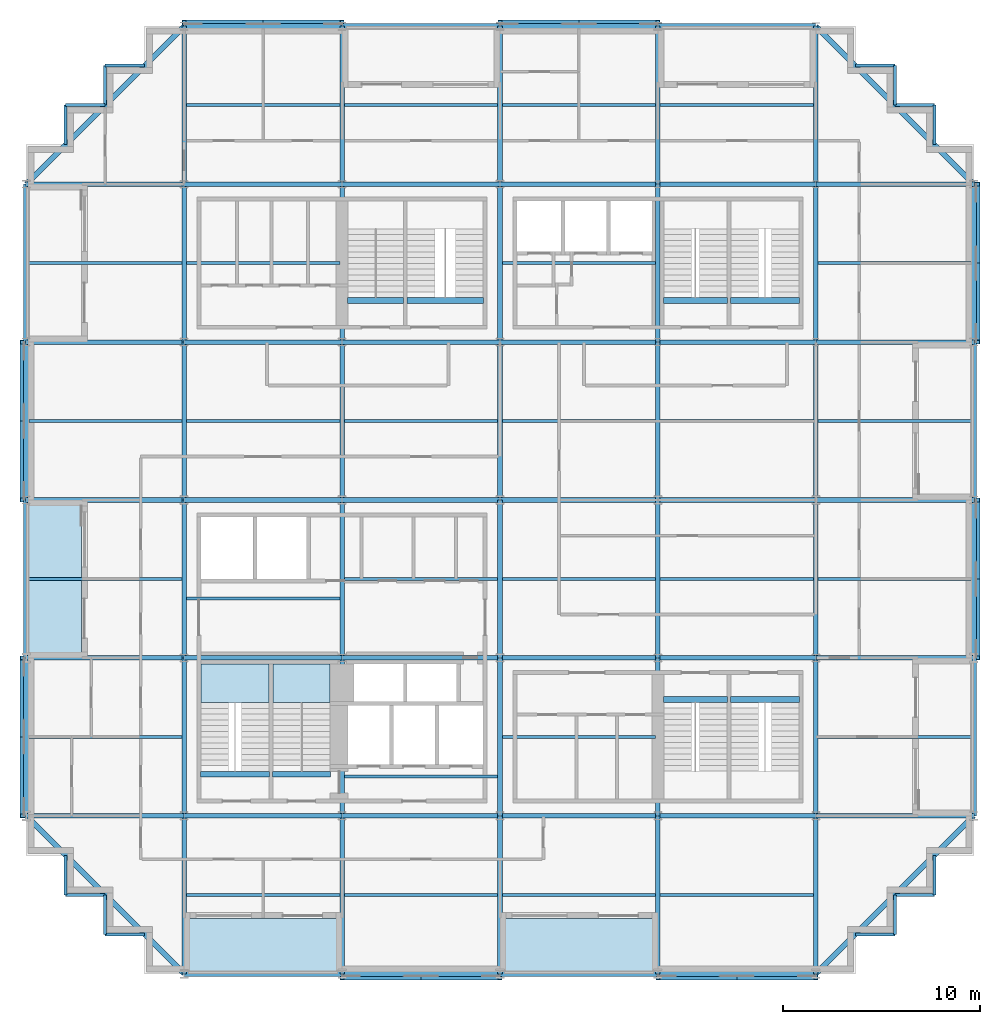
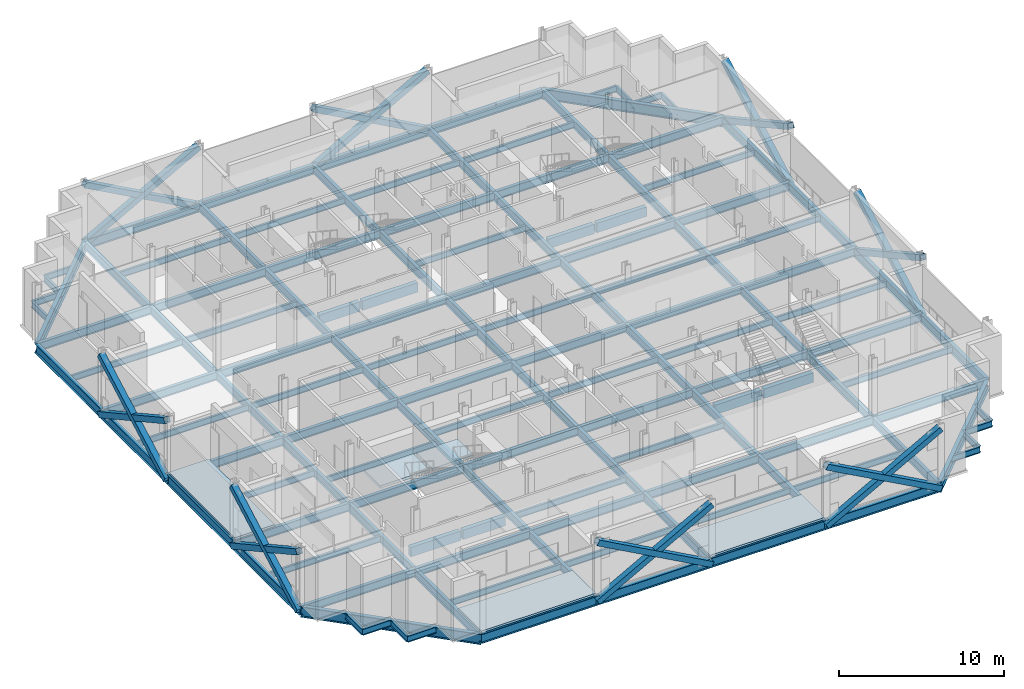
# One storey, part 4 of 14: 132 beams, 16 members, 5 slabs, 2 elements without a shape of their own.
"""IFC4 building model written with IfcOpenShell, lengths in metres."""

from ifc_helpers import new_model, si_unit, direction, frame, origin, origin_2d, place, context, subcontext, project, spatial, polyline, rectangle, hollow_rectangle, i_section, outline, extrude, material, layer, layer_set, material_profile, profile_set, type_object, element, aggregate, save


model = new_model("IFC4")

# Units and contexts
model_context = context("Model", 3, precision=1e-05, world=origin(), true_north=direction((0.0, 1.0)))
body_context = subcontext(model_context, "Body", "Model", "MODEL_VIEW")
ifc_project = project(units=[si_unit("LENGTHUNIT", "METRE"), si_unit("AREAUNIT", "SQUARE_METRE"), si_unit("VOLUMEUNIT", "CUBIC_METRE"), si_unit("PLANEANGLEUNIT", "RADIAN"), si_unit("MASSUNIT", "GRAM", prefix="KILO")], contexts=[model_context])

# Site, building, storey
site_placement = place(None, origin())
site = spatial("IfcSite", under=ifc_project, at=site_placement, CompositionType="ELEMENT")
building_placement = place(site_placement, origin())
building = spatial("IfcBuilding", under=site, at=building_placement, Name="Immortelle Media Tower", CompositionType="ELEMENT")
storey_placement = place(building_placement, frame((0.0, 0.0, 96.39990234375)))
storey = spatial("IfcBuildingStorey", under=building, at=storey_placement, Name="L18", CompositionType="ELEMENT", Elevation=96.39990234375)

# Members
ifc_material_1 = material(Name="Steel ASTM A500 Gr C", Category="steel")
ifc_material_profile_1 = material_profile(ifc_material_1, hollow_rectangle(XDim=0.406005859375, YDim=0.406005859375, WallThickness=0.014892578125, at=origin_2d()), Name="HSS16x16x5/8 brace")
ifc_profile_set_1 = profile_set([ifc_material_profile_1], Name="Steel ASTM A500 Gr C")
member_type = type_object("IfcMemberType", Name="HSS16x16x5/8 brace", PredefinedType="BRACE", material=ifc_profile_set_1)
for number, where, z_axis, x_axis, name in (
    (1, (-0.113037109375, 32.0, -0.496337890625), (0.0, -0.876220425204, 0.481910537812), (1.0, 0.0, 0.0), "Brace 1/D-E A"),
    (2, (-0.113037109375, 32.0, 3.903564453125), (0.0, -0.876220425204, -0.481910537812), (1.0, 0.0, 0.0), "Brace 1/D-E B"),
    (3, (-0.113037109375, 16.0, -0.496337890625), (0.0, -0.876220425204, 0.481910537812), (1.0, 0.0, 0.0), "Brace 1/B-C A"),
    (4, (-0.113037109375, 16.0, 3.903564453125), (0.0, -0.876220425204, -0.481910537812), (1.0, 0.0, 0.0), "Brace 1/B-C B"),
    (5, (16.0, -0.113037109375, -0.496337890625), (0.876220425204, 0.0, 0.481910537812), (0.0, 1.0, 0.0), "Brace A/3-4 A"),
    (6, (16.0, -0.113037109375, 3.903564453125), (0.876220425204, 0.0, -0.481910537812), (0.0, 1.0, 0.0), "Brace A/3-4 B"),
    (7, (32.0, -0.113037109375, -0.496337890625), (0.876220425204, 0.0, 0.481910537812), (0.0, 1.0, 0.0), "Brace A/5-6 A"),
    (8, (32.0, -0.113037109375, 3.903564453125), (0.876220425204, 0.0, -0.481910537812), (0.0, 1.0, 0.0), "Brace A/5-6 B"),
    (9, (48.113037109375, 16.0, -0.496337890625), (0.0, 0.876220425204, 0.481910537812), (-1.0, 0.0, 0.0), "Brace 7/C-D A"),
    (10, (48.113037109375, 16.0, 3.903564453125), (0.0, 0.876220425204, -0.481910537812), (-1.0, 0.0, 0.0), "Brace 7/C-D B"),
    (11, (48.113037109375, 32.0, -0.496337890625), (0.0, 0.876220425204, 0.481910537812), (-1.0, 0.0, 0.0), "Brace 7/E-F A"),
    (12, (48.113037109375, 32.0, 3.903564453125), (0.0, 0.876220425204, -0.481910537812), (-1.0, 0.0, 0.0), "Brace 7/E-F B"),
    (13, (32.0, 48.113037109375, -0.496337890625), (-0.876220425204, 0.0, 0.481910537812), (0.0, -1.0, 0.0), "Brace G/4-5 A"),
    (14, (32.0, 48.113037109375, 3.903564453125), (-0.876220425204, 0.0, -0.481910537812), (0.0, -1.0, 0.0), "Brace G/4-5 B"),
    (15, (16.0, 48.113037109375, -0.496337890625), (-0.876220425204, 0.0, 0.481910537812), (0.0, -1.0, 0.0), "Brace G/2-3 A"),
    (16, (16.0, 48.113037109375, 3.903564453125), (-0.876220425204, 0.0, -0.481910537812), (0.0, -1.0, 0.0), "Brace G/2-3 B"),
):
    element("IfcMember", number, at=place(storey_placement, frame(where, z_axis=z_axis, x_axis=x_axis)), inside=storey, type_object=member_type, Name=name, PredefinedType="BRACE", context=body_context, shape_type="SweptSolid", body=[
        extrude(hollow_rectangle(XDim=0.406005859375, YDim=0.406005859375, WallThickness=0.014892578125, at=origin_2d()), origin(), (0.0, 0.0, 1.0), 9.130126953125),
    ])

# Beams
ifc_material_2 = material(Name="Concrete C50/60", Category="concrete")
ifc_material_profile_2 = material_profile(ifc_material_2, rectangle(XDim=0.300048828125, YDim=0.699951171875, at=origin_2d()), Name="RC 300x700")
ifc_profile_set_2 = profile_set([ifc_material_profile_2], Name="Concrete C50/60")
beam_type_1 = type_object("IfcBeamType", Name="Stair trimmer beam 300 x 700", PredefinedType="BEAM", material=ifc_profile_set_2)
beam_1_placement = place(storey_placement, frame((8.830078125, 10.10498046875, -0.5), z_axis=(1.0, 0.0, 0.0), x_axis=(0.0, 1.0, 0.0)))
element("IfcBeam", 17, at=beam_1_placement, inside=storey, type_object=beam_type_1, Name="Stair trimmer beam SW1", PredefinedType="BEAM", context=body_context, shape_type="SweptSolid", body=[
    extrude(rectangle(XDim=0.300048828125, YDim=0.699951171875, at=origin_2d()), origin(), (0.0, 0.0, 1.0), 3.489990234375),
])
beam_2_placement = place(storey_placement, frame((12.47998046875, 10.10498046875, -0.5), z_axis=(1.0, 0.0, 0.0), x_axis=(0.0, 1.0, 0.0)))
element("IfcBeam", 18, at=beam_2_placement, inside=storey, type_object=beam_type_1, Name="Stair trimmer beam SW2", PredefinedType="BEAM", context=body_context, shape_type="SweptSolid", body=[
    extrude(rectangle(XDim=0.300048828125, YDim=0.699951171875, at=origin_2d()), origin(), (0.0, 0.0, 1.0), 2.93994140625),
])
beam_3_placement = place(storey_placement, frame((32.280029296875, 13.89501953125, -0.5), z_axis=(1.0, 0.0, 0.0), x_axis=(0.0, 1.0, 0.0)))
element("IfcBeam", 19, at=beam_3_placement, inside=storey, type_object=beam_type_1, Name="Stair trimmer beam SE1", PredefinedType="BEAM", context=body_context, shape_type="SweptSolid", body=[
    extrude(rectangle(XDim=0.300048828125, YDim=0.699951171875, at=origin_2d()), origin(), (0.0, 0.0, 1.0), 3.239990234375),
])
beam_4_placement = place(storey_placement, frame((35.679931640625, 13.89501953125, -0.5), z_axis=(1.0, 0.0, 0.0), x_axis=(0.0, 1.0, 0.0)))
element("IfcBeam", 20, at=beam_4_placement, inside=storey, type_object=beam_type_1, Name="Stair trimmer beam SE2", PredefinedType="BEAM", context=body_context, shape_type="SweptSolid", body=[
    extrude(rectangle(XDim=0.300048828125, YDim=0.699951171875, at=origin_2d()), origin(), (0.0, 0.0, 1.0), 3.489990234375),
])
beam_5_placement = place(storey_placement, frame((16.280029296875, 34.10498046875, -0.5), z_axis=(1.0, 0.0, 0.0), x_axis=(0.0, 1.0, 0.0)))
element("IfcBeam", 21, at=beam_5_placement, inside=storey, type_object=beam_type_1, Name="Stair trimmer beam NW1", PredefinedType="BEAM", context=body_context, shape_type="SweptSolid", body=[
    extrude(rectangle(XDim=0.300048828125, YDim=0.699951171875, at=origin_2d()), origin(), (0.0, 0.0, 1.0), 2.840087890625),
])
beam_6_placement = place(storey_placement, frame((19.280029296875, 34.10498046875, -0.5), z_axis=(1.0, 0.0, 0.0), x_axis=(0.0, 1.0, 0.0)))
element("IfcBeam", 22, at=beam_6_placement, inside=storey, type_object=beam_type_1, Name="Stair trimmer beam NW2", PredefinedType="BEAM", context=body_context, shape_type="SweptSolid", body=[
    extrude(rectangle(XDim=0.300048828125, YDim=0.699951171875, at=origin_2d()), origin(), (0.0, 0.0, 1.0), 3.889892578125),
])
beam_7_placement = place(storey_placement, frame((32.280029296875, 34.10498046875, -0.5), z_axis=(1.0, 0.0, 0.0), x_axis=(0.0, 1.0, 0.0)))
element("IfcBeam", 23, at=beam_7_placement, inside=storey, type_object=beam_type_1, Name="Stair trimmer beam NE1", PredefinedType="BEAM", context=body_context, shape_type="SweptSolid", body=[
    extrude(rectangle(XDim=0.300048828125, YDim=0.699951171875, at=origin_2d()), origin(), (0.0, 0.0, 1.0), 3.239990234375),
])
beam_8_placement = place(storey_placement, frame((35.679931640625, 34.10498046875, -0.5), z_axis=(1.0, 0.0, 0.0), x_axis=(0.0, 1.0, 0.0)))
element("IfcBeam", 24, at=beam_8_placement, inside=storey, type_object=beam_type_1, Name="Stair trimmer beam NE2", PredefinedType="BEAM", context=body_context, shape_type="SweptSolid", body=[
    extrude(rectangle(XDim=0.300048828125, YDim=0.699951171875, at=origin_2d()), origin(), (0.0, 0.0, 1.0), 3.489990234375),
])
ifc_material_3 = material(Name="Steel ASTM A992 Gr 50", Category="steel")
ifc_material_profile_3 = material_profile(ifc_material_3, i_section(OverallWidth=0.153076171875, OverallDepth=0.455078125, WebThickness=0.008056640625, FlangeThickness=0.012939453125, at=origin_2d()), Name="W18x40")
ifc_profile_set_3 = profile_set([ifc_material_profile_3], Name="Steel ASTM A992 Gr 50")
beam_type_2 = type_object("IfcBeamType", Name="W18x40 secondary beam", PredefinedType="JOIST", material=ifc_profile_set_3)
for number, where, z_axis, x_axis, name in (
    (25, (8.114501953125, 4.0, -0.37744140625), (1.0, 0.0, 0.0), (0.0, 1.0, 0.0), "Beam A-B/2-3"),
    (26, (16.114501953125, 4.0, -0.37744140625), (1.0, 0.0, 0.0), (0.0, 1.0, 0.0), "Beam A-B/3-4"),
    (27, (24.114501953125, 4.0, -0.37744140625), (1.0, 0.0, 0.0), (0.0, 1.0, 0.0), "Beam A-B/4-5"),
    (28, (32.114501953125, 4.0, -0.37744140625), (1.0, 0.0, 0.0), (0.0, 1.0, 0.0), "Beam A-B/5-6"),
):
    element("IfcBeam", number, at=place(storey_placement, frame(where, z_axis=z_axis, x_axis=x_axis)), inside=storey, type_object=beam_type_2, Name=name, PredefinedType="JOIST", context=body_context, shape_type="SweptSolid", body=[
        extrude(i_section(OverallWidth=0.153076171875, OverallDepth=0.455078125, WebThickness=0.008056640625, FlangeThickness=0.012939453125, at=origin_2d()), origin(), (0.0, 0.0, 1.0), 7.77099609375),
    ])
beam_9_placement = place(storey_placement, frame((0.12841796875, 12.0, -0.37744140625), z_axis=(1.0, 0.0, 0.0), x_axis=(0.0, 1.0, 0.0)))
element("IfcBeam", 29, at=beam_9_placement, inside=storey, type_object=beam_type_2, Name="Beam B-C/1-2", PredefinedType="JOIST", context=body_context, shape_type="SweptSolid", body=[
    extrude(i_section(OverallWidth=0.153076171875, OverallDepth=0.455078125, WebThickness=0.008056640625, FlangeThickness=0.012939453125, at=origin_2d()), origin(), (0.0, 0.0, 1.0), 7.757080078125),
])
for number, where, z_axis, x_axis, name in (
    (30, (16.114501953125, 10.0, -0.37744140625), (1.0, 0.0, 0.0), (0.0, 1.0, 0.0), "Beam B-C/3-4"),
    (31, (24.114501953125, 12.0, -0.37744140625), (1.0, 0.0, 0.0), (0.0, 1.0, 0.0), "Beam B-C/4-5"),
):
    element("IfcBeam", number, at=place(storey_placement, frame(where, z_axis=z_axis, x_axis=x_axis)), inside=storey, type_object=beam_type_2, Name=name, PredefinedType="JOIST", context=body_context, shape_type="SweptSolid", body=[
        extrude(i_section(OverallWidth=0.153076171875, OverallDepth=0.455078125, WebThickness=0.008056640625, FlangeThickness=0.012939453125, at=origin_2d()), origin(), (0.0, 0.0, 1.0), 7.77099609375),
    ])
for number, where, z_axis, x_axis, name in (
    (32, (40.114501953125, 12.0, -0.37744140625), (1.0, 0.0, 0.0), (0.0, 1.0, 0.0), "Beam B-C/6-7"),
    (33, (0.12841796875, 20.0, -0.37744140625), (1.0, 0.0, 0.0), (0.0, 1.0, 0.0), "Beam C-D/1-2"),
):
    element("IfcBeam", number, at=place(storey_placement, frame(where, z_axis=z_axis, x_axis=x_axis)), inside=storey, type_object=beam_type_2, Name=name, PredefinedType="JOIST", context=body_context, shape_type="SweptSolid", body=[
        extrude(i_section(OverallWidth=0.153076171875, OverallDepth=0.455078125, WebThickness=0.008056640625, FlangeThickness=0.012939453125, at=origin_2d()), origin(), (0.0, 0.0, 1.0), 7.757080078125),
    ])
for number, where, z_axis, x_axis, name in (
    (34, (8.114501953125, 19.0, -0.37744140625), (1.0, 0.0, 0.0), (0.0, 1.0, 0.0), "Beam C-D/2-3"),
    (35, (16.114501953125, 20.0, -0.37744140625), (1.0, 0.0, 0.0), (0.0, 1.0, 0.0), "Beam C-D/3-4"),
    (36, (24.114501953125, 20.0, -0.37744140625), (1.0, 0.0, 0.0), (0.0, 1.0, 0.0), "Beam C-D/4-5"),
    (37, (32.114501953125, 20.0, -0.37744140625), (1.0, 0.0, 0.0), (0.0, 1.0, 0.0), "Beam C-D/5-6"),
):
    element("IfcBeam", number, at=place(storey_placement, frame(where, z_axis=z_axis, x_axis=x_axis)), inside=storey, type_object=beam_type_2, Name=name, PredefinedType="JOIST", context=body_context, shape_type="SweptSolid", body=[
        extrude(i_section(OverallWidth=0.153076171875, OverallDepth=0.455078125, WebThickness=0.008056640625, FlangeThickness=0.012939453125, at=origin_2d()), origin(), (0.0, 0.0, 1.0), 7.77099609375),
    ])
for number, where, z_axis, x_axis, name in (
    (38, (40.114501953125, 20.0, -0.37744140625), (1.0, 0.0, 0.0), (0.0, 1.0, 0.0), "Beam C-D/6-7"),
    (39, (0.12841796875, 28.0, -0.37744140625), (1.0, 0.0, 0.0), (0.0, 1.0, 0.0), "Beam D-E/1-2"),
):
    element("IfcBeam", number, at=place(storey_placement, frame(where, z_axis=z_axis, x_axis=x_axis)), inside=storey, type_object=beam_type_2, Name=name, PredefinedType="JOIST", context=body_context, shape_type="SweptSolid", body=[
        extrude(i_section(OverallWidth=0.153076171875, OverallDepth=0.455078125, WebThickness=0.008056640625, FlangeThickness=0.012939453125, at=origin_2d()), origin(), (0.0, 0.0, 1.0), 7.757080078125),
    ])
for number, where, z_axis, x_axis, name in (
    (40, (8.114501953125, 28.0, -0.37744140625), (1.0, 0.0, 0.0), (0.0, 1.0, 0.0), "Beam D-E/2-3"),
    (41, (16.114501953125, 28.0, -0.37744140625), (1.0, 0.0, 0.0), (0.0, 1.0, 0.0), "Beam D-E/3-4"),
    (42, (24.114501953125, 28.0, -0.37744140625), (1.0, 0.0, 0.0), (0.0, 1.0, 0.0), "Beam D-E/4-5"),
    (43, (32.114501953125, 28.0, -0.37744140625), (1.0, 0.0, 0.0), (0.0, 1.0, 0.0), "Beam D-E/5-6"),
):
    element("IfcBeam", number, at=place(storey_placement, frame(where, z_axis=z_axis, x_axis=x_axis)), inside=storey, type_object=beam_type_2, Name=name, PredefinedType="JOIST", context=body_context, shape_type="SweptSolid", body=[
        extrude(i_section(OverallWidth=0.153076171875, OverallDepth=0.455078125, WebThickness=0.008056640625, FlangeThickness=0.012939453125, at=origin_2d()), origin(), (0.0, 0.0, 1.0), 7.77099609375),
    ])
for number, where, z_axis, x_axis, name in (
    (44, (40.114501953125, 28.0, -0.37744140625), (1.0, 0.0, 0.0), (0.0, 1.0, 0.0), "Beam D-E/6-7"),
    (45, (0.12841796875, 36.0, -0.37744140625), (1.0, 0.0, 0.0), (0.0, 1.0, 0.0), "Beam E-F/1-2"),
):
    element("IfcBeam", number, at=place(storey_placement, frame(where, z_axis=z_axis, x_axis=x_axis)), inside=storey, type_object=beam_type_2, Name=name, PredefinedType="JOIST", context=body_context, shape_type="SweptSolid", body=[
        extrude(i_section(OverallWidth=0.153076171875, OverallDepth=0.455078125, WebThickness=0.008056640625, FlangeThickness=0.012939453125, at=origin_2d()), origin(), (0.0, 0.0, 1.0), 7.757080078125),
    ])
for number, where, z_axis, x_axis, name in (
    (46, (8.114501953125, 36.0, -0.37744140625), (1.0, 0.0, 0.0), (0.0, 1.0, 0.0), "Beam E-F/2-3"),
    (47, (24.114501953125, 36.0, -0.37744140625), (1.0, 0.0, 0.0), (0.0, 1.0, 0.0), "Beam E-F/4-5"),
):
    element("IfcBeam", number, at=place(storey_placement, frame(where, z_axis=z_axis, x_axis=x_axis)), inside=storey, type_object=beam_type_2, Name=name, PredefinedType="JOIST", context=body_context, shape_type="SweptSolid", body=[
        extrude(i_section(OverallWidth=0.153076171875, OverallDepth=0.455078125, WebThickness=0.008056640625, FlangeThickness=0.012939453125, at=origin_2d()), origin(), (0.0, 0.0, 1.0), 7.77099609375),
    ])
beam_10_placement = place(storey_placement, frame((40.114501953125, 36.0, -0.37744140625), z_axis=(1.0, 0.0, 0.0), x_axis=(0.0, 1.0, 0.0)))
element("IfcBeam", 48, at=beam_10_placement, inside=storey, type_object=beam_type_2, Name="Beam E-F/6-7", PredefinedType="JOIST", context=body_context, shape_type="SweptSolid", body=[
    extrude(i_section(OverallWidth=0.153076171875, OverallDepth=0.455078125, WebThickness=0.008056640625, FlangeThickness=0.012939453125, at=origin_2d()), origin(), (0.0, 0.0, 1.0), 7.757080078125),
])
for number, where, z_axis, x_axis, name in (
    (49, (8.114501953125, 44.0, -0.37744140625), (1.0, 0.0, 0.0), (0.0, 1.0, 0.0), "Beam F-G/2-3"),
    (50, (16.114501953125, 44.0, -0.37744140625), (1.0, 0.0, 0.0), (0.0, 1.0, 0.0), "Beam F-G/3-4"),
    (51, (24.114501953125, 44.0, -0.37744140625), (1.0, 0.0, 0.0), (0.0, 1.0, 0.0), "Beam F-G/4-5"),
    (52, (32.114501953125, 44.0, -0.37744140625), (1.0, 0.0, 0.0), (0.0, 1.0, 0.0), "Beam F-G/5-6"),
):
    element("IfcBeam", number, at=place(storey_placement, frame(where, z_axis=z_axis, x_axis=x_axis)), inside=storey, type_object=beam_type_2, Name=name, PredefinedType="JOIST", context=body_context, shape_type="SweptSolid", body=[
        extrude(i_section(OverallWidth=0.153076171875, OverallDepth=0.455078125, WebThickness=0.008056640625, FlangeThickness=0.012939453125, at=origin_2d()), origin(), (0.0, 0.0, 1.0), 7.77099609375),
    ])
ifc_material_profile_4 = material_profile(ifc_material_3, i_section(OverallWidth=0.153076171875, OverallDepth=0.455078125, WebThickness=0.008056640625, FlangeThickness=0.012939453125, at=origin_2d()), Name="W18x40")
ifc_profile_set_4 = profile_set([ifc_material_profile_4], Name="Steel ASTM A992 Gr 50")
beam_type_3 = type_object("IfcBeamType", Name="W18x40 serration edge beam", PredefinedType="SPANDREL", material=ifc_profile_set_4)
for number, where, z_axis, x_axis, name in (
    (53, (6.0, 2.0, -0.37744140625), (-1.0, 0.0, 0.0), (0.0, -1.0, 0.0), "Corner edge beam 1 at 1/A"),
    (54, (4.0, 2.0, -0.37744140625), (0.0, 1.0, 0.0), (-1.0, 0.0, 0.0), "Corner edge beam 2 at 1/A"),
    (55, (4.0, 4.0, -0.37744140625), (-1.0, 0.0, 0.0), (0.0, -1.0, 0.0), "Corner edge beam 3 at 1/A"),
    (56, (2.0, 4.0, -0.37744140625), (0.0, 1.0, 0.0), (-1.0, 0.0, 0.0), "Corner edge beam 4 at 1/A"),
    (57, (2.0, 42.0, -0.37744140625), (0.0, 1.0, 0.0), (-1.0, 0.0, 0.0), "Corner edge beam 1 at 1/G"),
    (58, (2.0, 44.0, -0.37744140625), (1.0, 0.0, 0.0), (0.0, 1.0, 0.0), "Corner edge beam 2 at 1/G"),
    (59, (4.0, 44.0, -0.37744140625), (0.0, 1.0, 0.0), (-1.0, 0.0, 0.0), "Corner edge beam 3 at 1/G"),
    (60, (4.0, 46.0, -0.37744140625), (1.0, 0.0, 0.0), (0.0, 1.0, 0.0), "Corner edge beam 4 at 1/G"),
    (61, (46.0, 6.0, -0.37744140625), (0.0, -1.0, 0.0), (1.0, 0.0, 0.0), "Corner edge beam 1 at 7/A"),
    (62, (46.0, 4.0, -0.37744140625), (-1.0, 0.0, 0.0), (0.0, -1.0, 0.0), "Corner edge beam 2 at 7/A"),
    (63, (44.0, 4.0, -0.37744140625), (0.0, -1.0, 0.0), (1.0, 0.0, 0.0), "Corner edge beam 3 at 7/A"),
    (64, (44.0, 2.0, -0.37744140625), (-1.0, 0.0, 0.0), (0.0, -1.0, 0.0), "Corner edge beam 4 at 7/A"),
    (65, (42.0, 46.0, -0.37744140625), (1.0, 0.0, 0.0), (0.0, 1.0, 0.0), "Corner edge beam 1 at 7/G"),
    (66, (44.0, 46.0, -0.37744140625), (0.0, -1.0, 0.0), (1.0, 0.0, 0.0), "Corner edge beam 2 at 7/G"),
    (67, (44.0, 44.0, -0.37744140625), (1.0, 0.0, 0.0), (0.0, 1.0, 0.0), "Corner edge beam 3 at 7/G"),
    (68, (46.0, 44.0, -0.37744140625), (0.0, -1.0, 0.0), (1.0, 0.0, 0.0), "Corner edge beam 4 at 7/G"),
):
    element("IfcBeam", number, at=place(storey_placement, frame(where, z_axis=z_axis, x_axis=x_axis)), inside=storey, type_object=beam_type_3, Name=name, PredefinedType="SPANDREL", context=body_context, shape_type="SweptSolid", body=[
        extrude(i_section(OverallWidth=0.153076171875, OverallDepth=0.455078125, WebThickness=0.008056640625, FlangeThickness=0.012939453125, at=origin_2d()), origin(), (0.0, 0.0, 1.0), 2.0),
    ])
ifc_material_profile_5 = material_profile(ifc_material_3, i_section(OverallWidth=0.22900390625, OverallDepth=0.612060546875, WebThickness=0.011962890625, FlangeThickness=0.02001953125, at=origin_2d()), Name="W24x84")
ifc_profile_set_5 = profile_set([ifc_material_profile_5], Name="Steel ASTM A992 Gr 50")
beam_type_4 = type_object("IfcBeamType", Name="W24x84 girder", PredefinedType="BEAM", material=ifc_profile_set_5)
for number, where, z_axis, x_axis, name in (
    (69, (0.0, 8.0, -0.455810546875), (1.0, 0.0, 0.0), (0.0, 1.0, 0.0), "Girder B/1-2"),
    (70, (0.0, 16.0, -0.455810546875), (1.0, 0.0, 0.0), (0.0, 1.0, 0.0), "Girder C/1-2"),
    (71, (0.0, 24.0, -0.455810546875), (1.0, 0.0, 0.0), (0.0, 1.0, 0.0), "Girder D/1-2"),
    (72, (0.0, 32.0, -0.455810546875), (1.0, 0.0, 0.0), (0.0, 1.0, 0.0), "Girder E/1-2"),
    (73, (0.0, 40.0, -0.455810546875), (1.0, 0.0, 0.0), (0.0, 1.0, 0.0), "Girder F/1-2"),
    (74, (8.0, 0.0, -0.455810546875), (0.0, 1.0, 0.0), (-1.0, 0.0, 0.0), "Girder 2/A-B"),
    (75, (8.0, 8.0, -0.455810546875), (1.0, 0.0, 0.0), (0.0, 1.0, 0.0), "Girder B/2-3"),
    (76, (8.0, 8.0, -0.455810546875), (0.0, 1.0, 0.0), (-1.0, 0.0, 0.0), "Girder 2/B-C"),
    (77, (8.0, 16.0, -0.455810546875), (1.0, 0.0, 0.0), (0.0, 1.0, 0.0), "Girder C/2-3"),
    (78, (8.0, 16.0, -0.455810546875), (0.0, 1.0, 0.0), (-1.0, 0.0, 0.0), "Girder 2/C-D"),
    (79, (8.0, 24.0, -0.455810546875), (1.0, 0.0, 0.0), (0.0, 1.0, 0.0), "Girder D/2-3"),
    (80, (8.0, 24.0, -0.455810546875), (0.0, 1.0, 0.0), (-1.0, 0.0, 0.0), "Girder 2/D-E"),
    (81, (8.0, 32.0, -0.455810546875), (1.0, 0.0, 0.0), (0.0, 1.0, 0.0), "Girder E/2-3"),
    (82, (8.0, 32.0, -0.455810546875), (0.0, 1.0, 0.0), (-1.0, 0.0, 0.0), "Girder 2/E-F"),
    (83, (8.0, 40.0, -0.455810546875), (1.0, 0.0, 0.0), (0.0, 1.0, 0.0), "Girder F/2-3"),
    (84, (8.0, 40.0, -0.455810546875), (0.0, 1.0, 0.0), (-1.0, 0.0, 0.0), "Girder 2/F-G"),
    (85, (16.0, 0.0, -0.455810546875), (0.0, 1.0, 0.0), (-1.0, 0.0, 0.0), "Girder 3/A-B"),
    (86, (16.0, 8.0, -0.455810546875), (1.0, 0.0, 0.0), (0.0, 1.0, 0.0), "Girder B/3-4"),
    (87, (16.0, 8.0, -0.455810546875), (0.0, 1.0, 0.0), (-1.0, 0.0, 0.0), "Girder 3/B-C"),
    (88, (16.0, 16.0, -0.455810546875), (1.0, 0.0, 0.0), (0.0, 1.0, 0.0), "Girder C/3-4"),
    (89, (16.0, 16.0, -0.455810546875), (0.0, 1.0, 0.0), (-1.0, 0.0, 0.0), "Girder 3/C-D"),
    (90, (16.0, 24.0, -0.455810546875), (1.0, 0.0, 0.0), (0.0, 1.0, 0.0), "Girder D/3-4"),
    (91, (16.0, 24.0, -0.455810546875), (0.0, 1.0, 0.0), (-1.0, 0.0, 0.0), "Girder 3/D-E"),
    (92, (16.0, 32.0, -0.455810546875), (1.0, 0.0, 0.0), (0.0, 1.0, 0.0), "Girder E/3-4"),
    (93, (16.0, 32.0, -0.455810546875), (0.0, 1.0, 0.0), (-1.0, 0.0, 0.0), "Girder 3/E-F"),
    (94, (16.0, 40.0, -0.455810546875), (1.0, 0.0, 0.0), (0.0, 1.0, 0.0), "Girder F/3-4"),
    (95, (16.0, 40.0, -0.455810546875), (0.0, 1.0, 0.0), (-1.0, 0.0, 0.0), "Girder 3/F-G"),
    (96, (24.0, 0.0, -0.455810546875), (0.0, 1.0, 0.0), (-1.0, 0.0, 0.0), "Girder 4/A-B"),
    (97, (24.0, 8.0, -0.455810546875), (1.0, 0.0, 0.0), (0.0, 1.0, 0.0), "Girder B/4-5"),
    (98, (24.0, 8.0, -0.455810546875), (0.0, 1.0, 0.0), (-1.0, 0.0, 0.0), "Girder 4/B-C"),
    (99, (24.0, 16.0, -0.455810546875), (1.0, 0.0, 0.0), (0.0, 1.0, 0.0), "Girder C/4-5"),
    (100, (24.0, 16.0, -0.455810546875), (0.0, 1.0, 0.0), (-1.0, 0.0, 0.0), "Girder 4/C-D"),
    (101, (24.0, 24.0, -0.455810546875), (1.0, 0.0, 0.0), (0.0, 1.0, 0.0), "Girder D/4-5"),
    (102, (24.0, 24.0, -0.455810546875), (0.0, 1.0, 0.0), (-1.0, 0.0, 0.0), "Girder 4/D-E"),
    (103, (24.0, 32.0, -0.455810546875), (1.0, 0.0, 0.0), (0.0, 1.0, 0.0), "Girder E/4-5"),
    (104, (24.0, 32.0, -0.455810546875), (0.0, 1.0, 0.0), (-1.0, 0.0, 0.0), "Girder 4/E-F"),
    (105, (24.0, 40.0, -0.455810546875), (1.0, 0.0, 0.0), (0.0, 1.0, 0.0), "Girder F/4-5"),
    (106, (24.0, 40.0, -0.455810546875), (0.0, 1.0, 0.0), (-1.0, 0.0, 0.0), "Girder 4/F-G"),
    (107, (32.0, 0.0, -0.455810546875), (0.0, 1.0, 0.0), (-1.0, 0.0, 0.0), "Girder 5/A-B"),
    (108, (32.0, 8.0, -0.455810546875), (1.0, 0.0, 0.0), (0.0, 1.0, 0.0), "Girder B/5-6"),
    (109, (32.0, 8.0, -0.455810546875), (0.0, 1.0, 0.0), (-1.0, 0.0, 0.0), "Girder 5/B-C"),
    (110, (32.0, 16.0, -0.455810546875), (1.0, 0.0, 0.0), (0.0, 1.0, 0.0), "Girder C/5-6"),
    (111, (32.0, 16.0, -0.455810546875), (0.0, 1.0, 0.0), (-1.0, 0.0, 0.0), "Girder 5/C-D"),
    (112, (32.0, 24.0, -0.455810546875), (1.0, 0.0, 0.0), (0.0, 1.0, 0.0), "Girder D/5-6"),
    (113, (32.0, 24.0, -0.455810546875), (0.0, 1.0, 0.0), (-1.0, 0.0, 0.0), "Girder 5/D-E"),
    (114, (32.0, 32.0, -0.455810546875), (1.0, 0.0, 0.0), (0.0, 1.0, 0.0), "Girder E/5-6"),
    (115, (32.0, 32.0, -0.455810546875), (0.0, 1.0, 0.0), (-1.0, 0.0, 0.0), "Girder 5/E-F"),
    (116, (32.0, 40.0, -0.455810546875), (1.0, 0.0, 0.0), (0.0, 1.0, 0.0), "Girder F/5-6"),
    (117, (32.0, 40.0, -0.455810546875), (0.0, 1.0, 0.0), (-1.0, 0.0, 0.0), "Girder 5/F-G"),
    (118, (40.0, 0.0, -0.455810546875), (0.0, 1.0, 0.0), (-1.0, 0.0, 0.0), "Girder 6/A-B"),
    (119, (40.0, 8.0, -0.455810546875), (1.0, 0.0, 0.0), (0.0, 1.0, 0.0), "Girder B/6-7"),
    (120, (40.0, 8.0, -0.455810546875), (0.0, 1.0, 0.0), (-1.0, 0.0, 0.0), "Girder 6/B-C"),
    (121, (40.0, 16.0, -0.455810546875), (1.0, 0.0, 0.0), (0.0, 1.0, 0.0), "Girder C/6-7"),
    (122, (40.0, 16.0, -0.455810546875), (0.0, 1.0, 0.0), (-1.0, 0.0, 0.0), "Girder 6/C-D"),
    (123, (40.0, 24.0, -0.455810546875), (1.0, 0.0, 0.0), (0.0, 1.0, 0.0), "Girder D/6-7"),
    (124, (40.0, 24.0, -0.455810546875), (0.0, 1.0, 0.0), (-1.0, 0.0, 0.0), "Girder 6/D-E"),
    (125, (40.0, 32.0, -0.455810546875), (1.0, 0.0, 0.0), (0.0, 1.0, 0.0), "Girder E/6-7"),
    (126, (40.0, 32.0, -0.455810546875), (0.0, 1.0, 0.0), (-1.0, 0.0, 0.0), "Girder 6/E-F"),
    (127, (40.0, 40.0, -0.455810546875), (1.0, 0.0, 0.0), (0.0, 1.0, 0.0), "Girder F/6-7"),
    (128, (40.0, 40.0, -0.455810546875), (0.0, 1.0, 0.0), (-1.0, 0.0, 0.0), "Girder 6/F-G"),
):
    element("IfcBeam", number, at=place(storey_placement, frame(where, z_axis=z_axis, x_axis=x_axis)), inside=storey, type_object=beam_type_4, Name=name, PredefinedType="BEAM", context=body_context, shape_type="SweptSolid", body=[
        extrude(i_section(OverallWidth=0.22900390625, OverallDepth=0.612060546875, WebThickness=0.011962890625, FlangeThickness=0.02001953125, at=origin_2d()), origin(), (0.0, 0.0, 1.0), 8.0),
    ])
ifc_material_profile_6 = material_profile(ifc_material_3, i_section(OverallWidth=0.257080078125, OverallDepth=0.693115234375, WebThickness=0.013916015625, FlangeThickness=0.02392578125, at=origin_2d()), Name="W27x114")
ifc_profile_set_6 = profile_set([ifc_material_profile_6], Name="Steel ASTM A992 Gr 50")
beam_type_5 = type_object("IfcBeamType", Name="W27x114 perimeter girder", PredefinedType="SPANDREL", material=ifc_profile_set_6)
for number, where, z_axis, x_axis, name in (
    (129, (0.0, 8.0, -0.496337890625), (0.0, 1.0, 0.0), (-1.0, 0.0, 0.0), "Girder 1/B-C"),
    (130, (0.0, 16.0, -0.496337890625), (0.0, 1.0, 0.0), (-1.0, 0.0, 0.0), "Girder 1/C-D"),
    (131, (0.0, 24.0, -0.496337890625), (0.0, 1.0, 0.0), (-1.0, 0.0, 0.0), "Girder 1/D-E"),
    (132, (0.0, 32.0, -0.496337890625), (0.0, 1.0, 0.0), (-1.0, 0.0, 0.0), "Girder 1/E-F"),
    (133, (8.0, 0.0, -0.496337890625), (1.0, 0.0, 0.0), (0.0, 1.0, 0.0), "Girder A/2-3"),
    (134, (8.0, 48.0, -0.496337890625), (1.0, 0.0, 0.0), (0.0, 1.0, 0.0), "Girder G/2-3"),
    (135, (16.0, 0.0, -0.496337890625), (1.0, 0.0, 0.0), (0.0, 1.0, 0.0), "Girder A/3-4"),
    (136, (16.0, 48.0, -0.496337890625), (1.0, 0.0, 0.0), (0.0, 1.0, 0.0), "Girder G/3-4"),
    (137, (24.0, 0.0, -0.496337890625), (1.0, 0.0, 0.0), (0.0, 1.0, 0.0), "Girder A/4-5"),
    (138, (24.0, 48.0, -0.496337890625), (1.0, 0.0, 0.0), (0.0, 1.0, 0.0), "Girder G/4-5"),
    (139, (32.0, 0.0, -0.496337890625), (1.0, 0.0, 0.0), (0.0, 1.0, 0.0), "Girder A/5-6"),
    (140, (32.0, 48.0, -0.496337890625), (1.0, 0.0, 0.0), (0.0, 1.0, 0.0), "Girder G/5-6"),
    (141, (48.0, 8.0, -0.496337890625), (0.0, 1.0, 0.0), (-1.0, 0.0, 0.0), "Girder 7/B-C"),
    (142, (48.0, 16.0, -0.496337890625), (0.0, 1.0, 0.0), (-1.0, 0.0, 0.0), "Girder 7/C-D"),
    (143, (48.0, 24.0, -0.496337890625), (0.0, 1.0, 0.0), (-1.0, 0.0, 0.0), "Girder 7/D-E"),
    (144, (48.0, 32.0, -0.496337890625), (0.0, 1.0, 0.0), (-1.0, 0.0, 0.0), "Girder 7/E-F"),
):
    element("IfcBeam", number, at=place(storey_placement, frame(where, z_axis=z_axis, x_axis=x_axis)), inside=storey, type_object=beam_type_5, Name=name, PredefinedType="SPANDREL", context=body_context, shape_type="SweptSolid", body=[
        extrude(i_section(OverallWidth=0.257080078125, OverallDepth=0.693115234375, WebThickness=0.013916015625, FlangeThickness=0.02392578125, at=origin_2d()), origin(), (0.0, 0.0, 1.0), 8.0),
    ])
ifc_material_profile_7 = material_profile(ifc_material_3, i_section(OverallWidth=0.26708984375, OverallDepth=0.780029296875, WebThickness=0.01708984375, FlangeThickness=0.030029296875, at=origin_2d()), Name="W30x148")
ifc_profile_set_7 = profile_set([ifc_material_profile_7], Name="Steel ASTM A992 Gr 50")
beam_type_6 = type_object("IfcBeamType", Name="W30x148 corner girder", PredefinedType="SPANDREL", material=ifc_profile_set_7)
for number, where, z_axis, x_axis, name in (
    (145, (8.0, 0.0, -0.539794921875), (-0.707106781187, 0.707106781187, 0.0), (-0.707106781187, -0.707106781187, 0.0), "Corner girder at 1/A"),
    (146, (0.0, 40.0, -0.539794921875), (0.707106781187, 0.707106781187, 0.0), (-0.707106781187, 0.707106781187, 0.0), "Corner girder at 1/G"),
    (147, (48.0, 8.0, -0.539794921875), (-0.707106781187, -0.707106781187, 0.0), (0.707106781187, -0.707106781187, 0.0), "Corner girder at 7/A"),
    (148, (40.0, 48.0, -0.539794921875), (0.707106781187, -0.707106781187, 0.0), (0.707106781187, 0.707106781187, 0.0), "Corner girder at 7/G"),
):
    element("IfcBeam", number, at=place(storey_placement, frame(where, z_axis=z_axis, x_axis=x_axis)), inside=storey, type_object=beam_type_6, Name=name, PredefinedType="SPANDREL", context=body_context, shape_type="SweptSolid", body=[
        extrude(i_section(OverallWidth=0.26708984375, OverallDepth=0.780029296875, WebThickness=0.01708984375, FlangeThickness=0.030029296875, at=origin_2d()), origin(), (0.0, 0.0, 1.0), 11.313720703125),
    ])

# Slabs
ifc_material_4 = material(Name="Concrete C50/60 composite deck", Category="concrete")
ifc_layer_1 = layer(ifc_material_4, 0.14990234375)
ifc_layer_set_1 = layer_set([ifc_layer_1], Name="Concrete C50/60 composite deck")
slab_type_1 = type_object("IfcSlabType", Name="Balcony slab 150", PredefinedType="FLOOR", material=ifc_layer_set_1)
slab_1_placement = place(storey_placement, frame((0.0, 0.0, -0.14990234375)))
element("IfcSlab", 149, at=slab_1_placement, inside=storey, type_object=slab_type_1, Name="Balcony slab L18 W2", PredefinedType="FLOOR", context=body_context, shape_type="SweptSolid", body=[
    extrude(outline(polyline([(2.800048828125, 16.0), (2.800048828125, 24.0), (0.0, 24.0), (0.0, 16.0), (2.800048828125, 16.0)])), origin(), (0.0, 0.0, 1.0), 0.14990234375),
])
slab_2_placement = place(storey_placement, frame((0.0, 0.0, -0.14990234375)))
element("IfcSlab", 150, at=slab_2_placement, inside=storey, type_object=slab_type_1, Name="Balcony slab L18 S0", PredefinedType="FLOOR", context=body_context, shape_type="SweptSolid", body=[
    extrude(outline(polyline([(16.0, 0.0), (16.0, 2.800048828125), (8.0, 2.800048828125), (8.0, 0.0), (16.0, 0.0)])), origin(), (0.0, 0.0, 1.0), 0.14990234375),
])
slab_3_placement = place(storey_placement, frame((0.0, 0.0, -0.14990234375)))
element("IfcSlab", 151, at=slab_3_placement, inside=storey, type_object=slab_type_1, Name="Balcony slab L18 S2", PredefinedType="FLOOR", context=body_context, shape_type="SweptSolid", body=[
    extrude(outline(polyline([(32.0, 0.0), (32.0, 2.800048828125), (24.0, 2.800048828125), (24.0, 0.0), (32.0, 0.0)])), origin(), (0.0, 0.0, 1.0), 0.14990234375),
])

# Stair, slab
stair_type = type_object("IfcStairType", Name="Stair with flights", PredefinedType="DOUBLE_RETURN_STAIR", material=ifc_material_3)
stair_1_placement = place(storey_placement, origin())
stair_1 = element("IfcStair", 152, at=stair_1_placement, inside=storey, type_object=stair_type, Name="Exit stair SW1", PredefinedType="DOUBLE_RETURN_STAIR")
ifc_material_5 = material(Name="Steel ASTM A572 Gr 50", Category="steel")
ifc_layer_2 = layer(ifc_material_5, 0.199951171875)
ifc_layer_set_2 = layer_set([ifc_layer_2], Name="Steel ASTM A572 Gr 50")
slab_type_2 = type_object("IfcSlabType", Name="Stair landing 200", PredefinedType="LANDING", material=ifc_layer_set_2)
slab_4_placement = place(storey_placement, frame((0.0, 0.0, 1.912109375)))
slab_4 = element("IfcSlab", 153, at=slab_4_placement, type_object=slab_type_2, Name="ST SW1 landing 1", PredefinedType="LANDING", context=body_context, shape_type="SweptSolid", body=[
    extrude(outline(polyline([(8.85009765625, 13.72998046875), (12.300048828125, 13.72998046875), (12.300048828125, 15.699951171875), (8.85009765625, 15.699951171875), (8.85009765625, 13.72998046875)])), origin(), (0.0, 0.0, 1.0), 0.199951171875),
])
aggregate(stair_1, [slab_4])

stair_2_placement = place(storey_placement, origin())
stair_2 = element("IfcStair", 154, at=stair_2_placement, inside=storey, type_object=stair_type, Name="Exit stair SW2", PredefinedType="DOUBLE_RETURN_STAIR")
slab_5_placement = place(storey_placement, frame((0.0, 0.0, 1.912109375)))
slab_5 = element("IfcSlab", 155, at=slab_5_placement, type_object=slab_type_2, Name="ST SW2 landing 1", PredefinedType="LANDING", context=body_context, shape_type="SweptSolid", body=[
    extrude(outline(polyline([(12.5, 13.72998046875), (15.39990234375, 13.72998046875), (15.39990234375, 15.699951171875), (12.5, 15.699951171875), (12.5, 13.72998046875)])), origin(), (0.0, 0.0, 1.0), 0.199951171875),
])
aggregate(stair_2, [slab_5])

save(model, "model.ifc")
